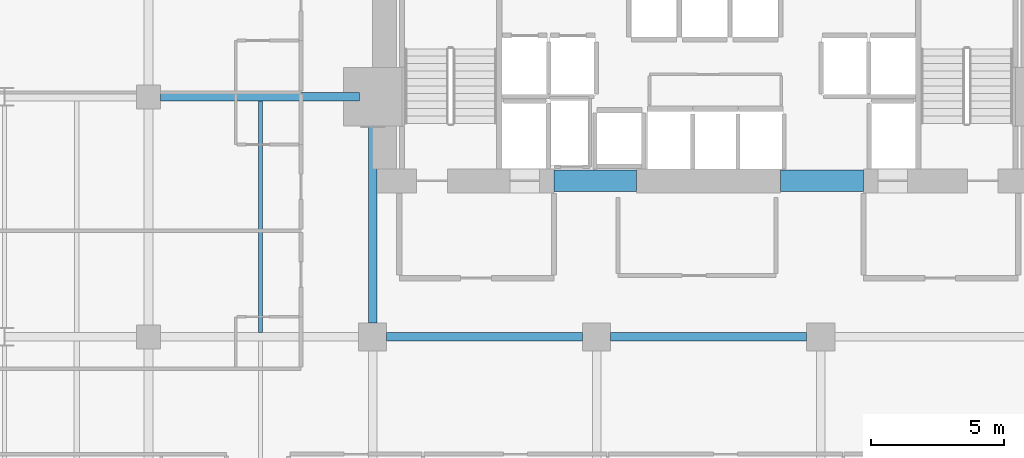
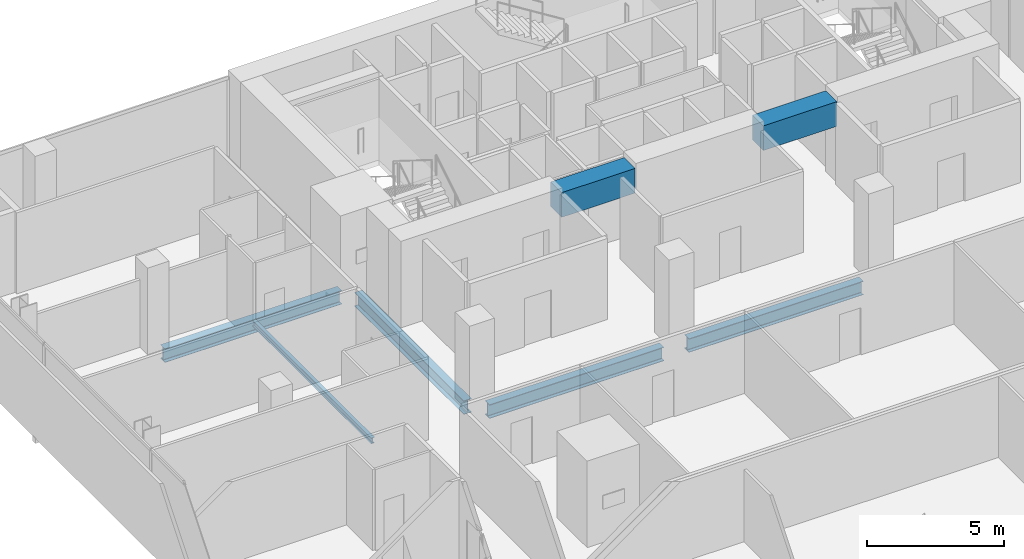
# One storey, part 24 of 40: 7 beams.
"""IFC4 building model written with IfcOpenShell, lengths in metres."""

from ifc_helpers import new_model, si_unit, direction, frame, origin, origin_2d, place, context, subcontext, project, spatial, rectangle, i_section, extrude, material, material_profile, profile_set, type_object, element, save


model = new_model("IFC4")

# Units and contexts
model_context = context("Model", 3, precision=1e-05, world=origin(), true_north=direction((0.0, 1.0)))
body_context = subcontext(model_context, "Body", "Model", "MODEL_VIEW")
ifc_project = project(units=[si_unit("LENGTHUNIT", "METRE"), si_unit("AREAUNIT", "SQUARE_METRE"), si_unit("VOLUMEUNIT", "CUBIC_METRE"), si_unit("PLANEANGLEUNIT", "RADIAN"), si_unit("MASSUNIT", "GRAM", prefix="KILO")], contexts=[model_context])

# Site, building, storey
site_placement = place(None, origin())
site = spatial("IfcSite", under=ifc_project, at=site_placement, CompositionType="ELEMENT")
building_placement = place(site_placement, origin())
building = spatial("IfcBuilding", under=site, at=building_placement, Name="Maruvema Waterfront Hotel and Observation Tower", CompositionType="ELEMENT")
storey_placement = place(building_placement, frame((0.0, 0.0, 77.0)))
storey = spatial("IfcBuildingStorey", under=building, at=storey_placement, Name="L18", CompositionType="ELEMENT", Elevation=77.0)

# Beams
ifc_material_1 = material(Name="Concrete C60/75", Category="concrete")
ifc_material_profile_1 = material_profile(ifc_material_1, rectangle(XDim=0.800048828125, YDim=1.10009765625, at=origin_2d()), Name="CB800x1100")
ifc_profile_set_1 = profile_set([ifc_material_profile_1], Name="Concrete C60/75")
beam_type_1 = type_object("IfcBeamType", Name="Core Coupling Lintel Beam CB800x1100", PredefinedType="LINTEL", material=ifc_profile_set_1)
for number, where, z_axis, x_axis, name in (
    (1, (32.0, 41.85009765625, 3.06005859375), (1.0, 0.0, 0.0), (0.0, 1.0, 0.0), "L18 Core Coupling Lintel Beam West"),
    (2, (40.5, 41.85009765625, 3.06005859375), (1.0, 0.0, 0.0), (0.0, 1.0, 0.0), "L18 Core Coupling Lintel Beam East"),
):
    element("IfcBeam", number, at=place(storey_placement, frame(where, z_axis=z_axis, x_axis=x_axis)), inside=storey, type_object=beam_type_1, Name=name, PredefinedType="LINTEL", context=body_context, shape_type="SweptSolid", body=[
        extrude(rectangle(XDim=0.800048828125, YDim=1.10009765625, at=origin_2d()), origin(), (0.0, 0.0, 1.0), 3.10009765625),
    ])
ifc_material_2 = material(Name="Steel ASTM A572 Grade 50", Category="steel")
ifc_material_profile_2 = material_profile(ifc_material_2, i_section(OverallWidth=0.323974609375, OverallDepth=0.611083984375, WebThickness=0.0126953125, FlangeThickness=0.01904296875, FilletRadius=0.01806640625, at=origin_2d()), Name="W610x155.0")
ifc_profile_set_2 = profile_set([ifc_material_profile_2], Name="Steel ASTM A572 Grade 50")
beam_type_2 = type_object("IfcBeamType", Name="Primary Floor Girder W610x155.0", PredefinedType="BEAM", material=ifc_profile_set_2)
beam_1_placement = place(storey_placement, frame((25.72509765625, 36.0, -0.54541015625), z_axis=(1.0, 0.0, 0.0), x_axis=(0.0, 1.0, 0.0)))
element("IfcBeam", 3, at=beam_1_placement, inside=storey, type_object=beam_type_2, Name="L18 Floor Girder EW-27", PredefinedType="BEAM", context=body_context, shape_type="SweptSolid", body=[
    extrude(i_section(OverallWidth=0.323974609375, OverallDepth=0.611083984375, WebThickness=0.0126953125, FlangeThickness=0.01904296875, FilletRadius=0.01806640625, at=origin_2d()), origin(), (0.0, 0.0, 1.0), 7.349853515625),
])
beam_2_placement = place(storey_placement, frame((34.125, 36.0, -0.54541015625), z_axis=(1.0, 0.0, 0.0), x_axis=(0.0, 1.0, 0.0)))
element("IfcBeam", 4, at=beam_2_placement, inside=storey, type_object=beam_type_2, Name="L18 Floor Girder EW-28", PredefinedType="BEAM", context=body_context, shape_type="SweptSolid", body=[
    extrude(i_section(OverallWidth=0.323974609375, OverallDepth=0.611083984375, WebThickness=0.0126953125, FlangeThickness=0.01904296875, FilletRadius=0.01806640625, at=origin_2d()), origin(), (0.0, 0.0, 1.0), 7.35009765625),
])
beam_3_placement = place(storey_placement, frame((17.25, 45.0, -0.54541015625), z_axis=(1.0, 0.0, 0.0), x_axis=(0.0, 1.0, 0.0)))
element("IfcBeam", 5, at=beam_3_placement, inside=storey, type_object=beam_type_2, Name="L18 Floor Girder EW-33", PredefinedType="BEAM", context=body_context, shape_type="SweptSolid", body=[
    extrude(i_section(OverallWidth=0.323974609375, OverallDepth=0.611083984375, WebThickness=0.0126953125, FlangeThickness=0.01904296875, FilletRadius=0.01806640625, at=origin_2d()), origin(), (0.0, 0.0, 1.0), 7.449951171875),
])
beam_4_placement = place(storey_placement, frame((25.199951171875, 36.52490234375, -0.54541015625), z_axis=(0.0, 1.0, 0.0), x_axis=(-1.0, 0.0, 0.0)))
element("IfcBeam", 6, at=beam_4_placement, inside=storey, type_object=beam_type_2, Name="L18 Floor Girder NS-15", PredefinedType="BEAM", context=body_context, shape_type="SweptSolid", body=[
    extrude(i_section(OverallWidth=0.323974609375, OverallDepth=0.611083984375, WebThickness=0.0126953125, FlangeThickness=0.01904296875, FilletRadius=0.01806640625, at=origin_2d()), origin(), (0.0, 0.0, 1.0), 7.97509765625),
])
ifc_material_3 = material(Name="Steel ASTM A572 Grade 50", Category="steel")
ifc_material_profile_3 = material_profile(ifc_material_3, i_section(OverallWidth=0.14599609375, OverallDepth=0.258056640625, WebThickness=0.006103515625, FlangeThickness=0.009033203125, FilletRadius=0.012939453125, at=origin_2d()), Name="W250x32.7")
ifc_profile_set_3 = profile_set([ifc_material_profile_3], Name="Steel ASTM A572 Grade 50")
beam_type_3 = type_object("IfcBeamType", Name="Secondary Floor Joist W250x32.7", PredefinedType="JOIST", material=ifc_profile_set_3)
beam_5_placement = place(storey_placement, frame((21.0, 36.162109375, -0.368896484375), z_axis=(0.0, 1.0, 0.0), x_axis=(-1.0, 0.0, 0.0)))
element("IfcBeam", 7, at=beam_5_placement, inside=storey, type_object=beam_type_3, Name="L18 Secondary Floor Joist JS-09", PredefinedType="JOIST", context=body_context, shape_type="SweptSolid", body=[
    extrude(i_section(OverallWidth=0.14599609375, OverallDepth=0.258056640625, WebThickness=0.006103515625, FlangeThickness=0.009033203125, FilletRadius=0.012939453125, at=origin_2d()), origin(), (0.0, 0.0, 1.0), 8.67578125),
])

save(model, "model.ifc")
